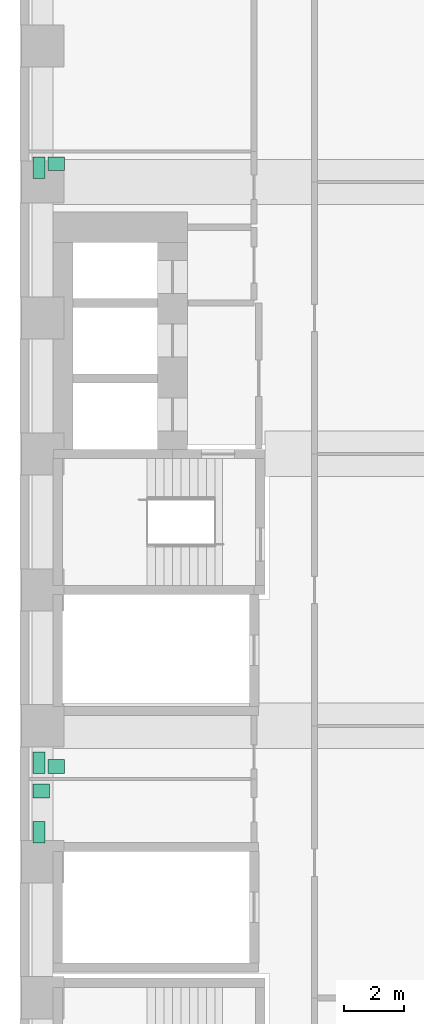
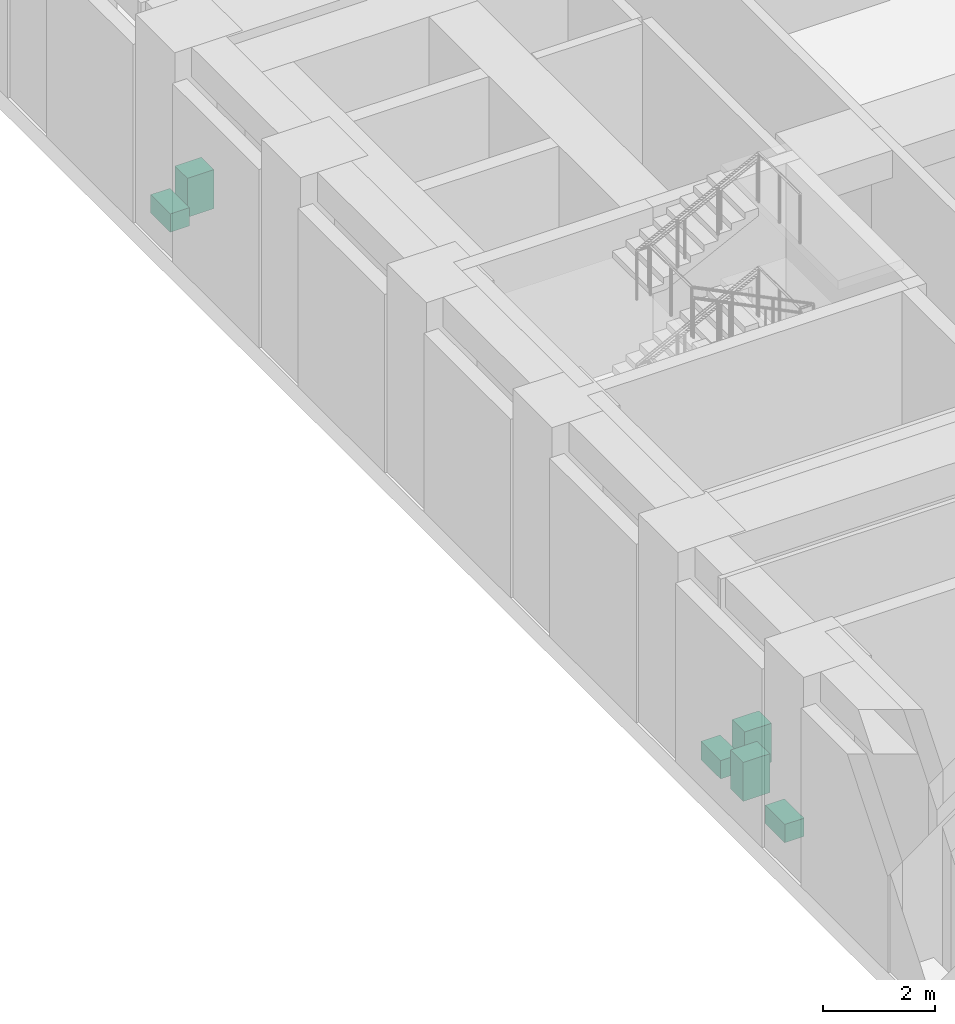
# One storey, part 34 of 34: 6 sanitary terminals.
"""IFC4 building model written with IfcOpenShell, lengths in metres."""

from ifc_helpers import new_model, si_unit, direction, frame, origin, origin_2d, place, context, subcontext, project, spatial, rectangle, extrude, material, type_object, element, save


model = new_model("IFC4")

# Units and contexts
model_context = context("Model", 3, precision=1e-05, world=origin(), true_north=direction((0.0, 1.0)))
body_context = subcontext(model_context, "Body", "Model", "MODEL_VIEW")
ifc_project = project(units=[si_unit("LENGTHUNIT", "METRE"), si_unit("AREAUNIT", "SQUARE_METRE"), si_unit("VOLUMEUNIT", "CUBIC_METRE"), si_unit("PLANEANGLEUNIT", "RADIAN"), si_unit("MASSUNIT", "GRAM", prefix="KILO")], contexts=[model_context])

# Site, building, storey
site_placement = place(None, origin())
site = spatial("IfcSite", under=ifc_project, at=site_placement, CompositionType="ELEMENT")
building_placement = place(site_placement, origin())
building = spatial("IfcBuilding", under=site, at=building_placement, Name="Firuza Court", CompositionType="ELEMENT")
storey_placement = place(building_placement, frame((0.0, 0.0, 19.0)))
storey = spatial("IfcBuildingStorey", under=building, at=storey_placement, Name="L03", CompositionType="ELEMENT", Elevation=19.0)

# Sanitary terminals
ifc_material_1 = material(Name="Vitreous china", Category="ceramic")
sanitary_terminal_type_1 = type_object("IfcSanitaryTerminalType", Name="Fixture WC pan", PredefinedType="TOILETPAN", material=ifc_material_1)
for number, where, z_axis, x_axis, name in (
    (1, (-0.1201171875, 14.47998046875, 0.0), (0.0, 0.0, 1.0), (1.0, 0.0, 0.0), "WC pan"),
    (2, (-0.1201171875, 16.780029296875, 0.0), (0.0, 0.0, 1.0), (1.0, 0.0, 0.0), "WC pan"),
    (3, (-0.1201171875, 36.469970703125, 0.0), (0.0, 0.0, 1.0), (1.0, 0.0, 0.0), "WC pan"),
):
    element("IfcSanitaryTerminal", number, at=place(storey_placement, frame(where, z_axis=z_axis, x_axis=x_axis)), inside=storey, type_object=sanitary_terminal_type_1, Name=name, PredefinedType="TOILETPAN", context=body_context, shape_type="SweptSolid", body=[
        extrude(rectangle(XDim=0.39990234375, YDim=0.699951171875, at=origin_2d()), origin(), (0.0, 0.0, 1.0), 0.39990234375),
    ])
ifc_material_2 = material(Name="Vitreous china", Category="ceramic")
sanitary_terminal_type_2 = type_object("IfcSanitaryTerminalType", Name="Fixture Washbasin", PredefinedType="WASHHANDBASIN", material=ifc_material_2)
for number, where, z_axis, x_axis, name in (
    (4, (-0.044921875, 15.844970703125, 0.0), (0.0, 0.0, 1.0), (1.0, 0.0, 0.0), "Washbasin"),
    (5, (0.455078125, 16.655029296875, 0.0), (0.0, 0.0, 1.0), (1.0, 0.0, 0.0), "Washbasin"),
    (6, (0.455078125, 36.594970703125, 0.0), (0.0, 0.0, 1.0), (1.0, 0.0, 0.0), "Washbasin"),
):
    element("IfcSanitaryTerminal", number, at=place(storey_placement, frame(where, z_axis=z_axis, x_axis=x_axis)), inside=storey, type_object=sanitary_terminal_type_2, Name=name, PredefinedType="WASHHANDBASIN", context=body_context, shape_type="SweptSolid", body=[
        extrude(rectangle(XDim=0.550048828125, YDim=0.449951171875, at=origin_2d()), origin(), (0.0, 0.0, 1.0), 0.85009765625),
    ])

save(model, "model.ifc")
